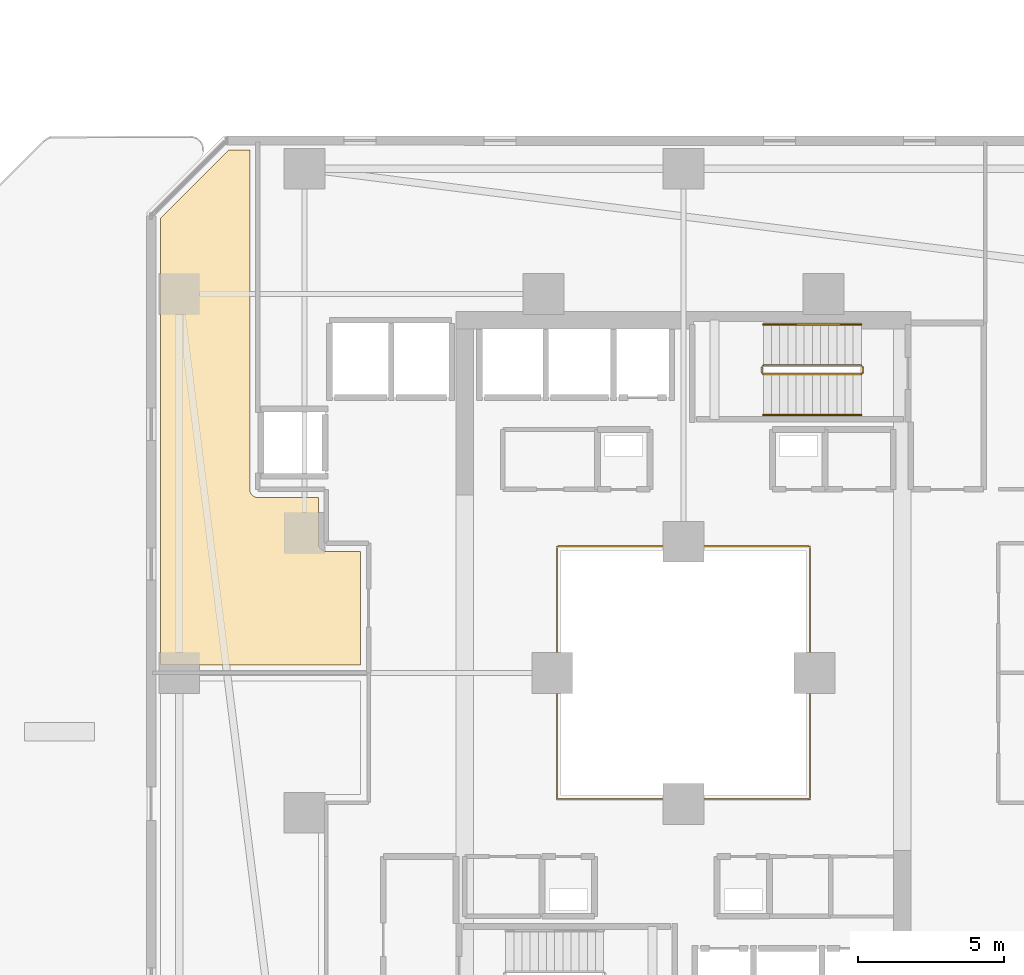
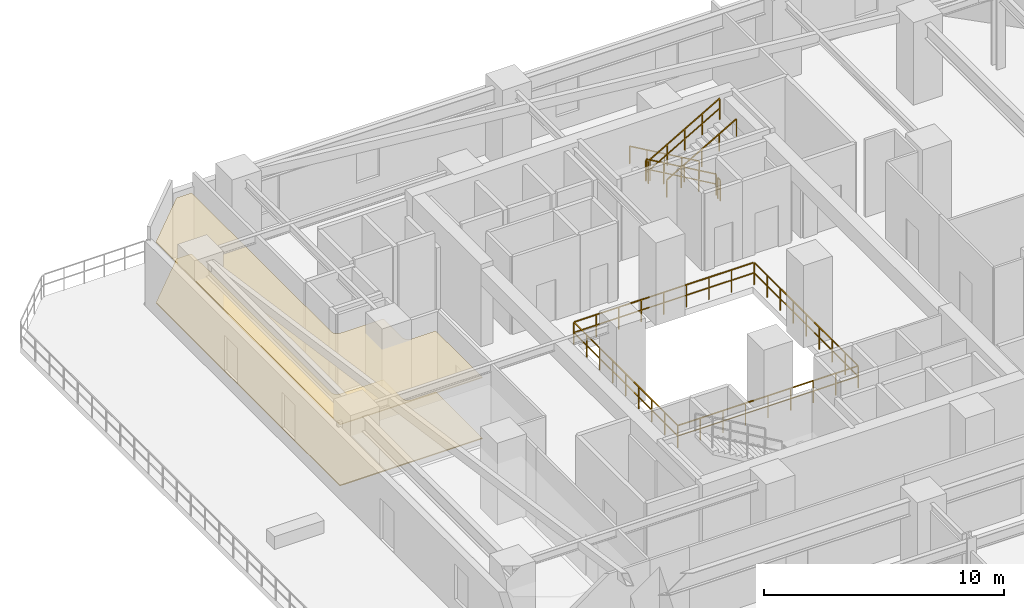
# One storey, part 30 of 33: 7 railings, 2 coverings.
"""IFC4 building model written with IfcOpenShell, lengths in metres."""

from ifc_helpers import new_model, si_unit, direction, frame, origin, origin_2d, place, context, subcontext, project, spatial, polyline, rectangle, outline, extrude, material, layer, layer_set, type_object, element, save


model = new_model("IFC4")

# Units and contexts
model_context = context("Model", 3, precision=1e-05, world=origin(), true_north=direction((0.0, 1.0)))
body_context = subcontext(model_context, "Body", "Model", "MODEL_VIEW")
ifc_project = project(units=[si_unit("LENGTHUNIT", "METRE"), si_unit("AREAUNIT", "SQUARE_METRE"), si_unit("VOLUMEUNIT", "CUBIC_METRE"), si_unit("PLANEANGLEUNIT", "RADIAN"), si_unit("MASSUNIT", "GRAM", prefix="KILO")], contexts=[model_context])

# Site, building, storey
site_placement = place(None, origin())
site = spatial("IfcSite", under=ifc_project, at=site_placement, CompositionType="ELEMENT")
building_placement = place(site_placement, origin())
building = spatial("IfcBuilding", under=site, at=building_placement, Name="Thornwick Lancets Civic Towers", CompositionType="ELEMENT")
storey_placement = place(building_placement, frame((0.0, 0.0, 49.5)))
storey = spatial("IfcBuildingStorey", under=building, at=storey_placement, Name="L12", CompositionType="ELEMENT", Elevation=49.5)

# Coverings
ifc_material_1 = material(Name="Perforated mineral acoustic ceiling tile")
ifc_layer_1 = layer(ifc_material_1, 0.0400390625, Name="Perforated mineral acoustic ceiling tile")
ifc_layer_set_1 = layer_set([ifc_layer_1], Name="Perforated mineral acoustic ceiling tile")
covering_type_1 = type_object("IfcCoveringType", Name="COV_CEIL_ACOUSTIC", PredefinedType="CEILING", material=ifc_layer_set_1)
covering_1_placement = place(storey_placement, frame((0.0, 0.0, 3.10498046875)))
element("IfcCovering", 1, at=covering_1_placement, inside=storey, type_object=covering_type_1, Name="L12 Tower A Policy Briefing Room W2 Ceiling", PredefinedType="CEILING", context=body_context, shape_type="SweptSolid", body=[
    extrude(outline(polyline([(12.969970703125, 33.02001953125), (12.969970703125, 31.449951171875), (12.97119140625, 31.422607421875), (12.975341796875, 31.3955078125), (12.982177734375, 31.36865234375), (12.9912109375, 31.3427734375), (13.003173828125, 31.318115234375), (13.01708984375, 31.29443359375), (13.03369140625, 31.2724609375), (13.052001953125, 31.251953125), (13.072509765625, 31.233642578125), (13.094482421875, 31.21728515625), (13.117919921875, 31.203125), (13.142822265625, 31.19140625), (13.168701171875, 31.18212890625), (13.1953125, 31.17529296875), (13.22265625, 31.17138671875), (13.25, 31.169921875), (14.419921875, 31.169921875), (14.419921875, 27.280029296875), (7.56005859375, 27.280029296875), (7.56005859375, 42.609375), (9.890625, 44.93994140625), (10.6201171875, 44.93994140625), (10.6201171875, 33.300048828125), (10.621337890625, 33.272705078125), (10.62548828125, 33.245361328125), (10.632080078125, 33.21875), (10.641357421875, 33.19287109375), (10.653076171875, 33.16796875), (10.667236328125, 33.144287109375), (10.68359375, 33.122314453125), (10.701904296875, 33.10205078125), (10.722412109375, 33.08349609375), (10.744384765625, 33.067138671875), (10.76806640625, 33.052978515625), (10.792724609375, 33.041259765625), (10.818603515625, 33.031982421875), (10.845458984375, 33.025390625), (10.87255859375, 33.021240234375), (10.89990234375, 33.02001953125), (12.969970703125, 33.02001953125)])), origin(), (0.0, 0.0, 1.0), 0.0400390625),
])
ifc_material_2 = material(Name="Calcium-sulfate raised access floor panel")
ifc_layer_2 = layer(ifc_material_2, 0.050048828125, Name="Calcium-sulfate raised access floor panel")
ifc_layer_set_2 = layer_set([ifc_layer_2], Name="Calcium-sulfate raised access floor panel")
covering_type_2 = type_object("IfcCoveringType", Name="COV_FLOOR_RAISED", PredefinedType="FLOORING", material=ifc_layer_set_2)
covering_2_placement = place(storey_placement, origin())
element("IfcCovering", 2, at=covering_2_placement, inside=storey, type_object=covering_type_2, Name="L12 Tower A Policy Briefing Room W2 Raised Access Flooring", PredefinedType="FLOORING", context=body_context, shape_type="SweptSolid", body=[
    extrude(outline(polyline([(12.969970703125, 33.02001953125), (12.969970703125, 31.449951171875), (12.97119140625, 31.422607421875), (12.975341796875, 31.3955078125), (12.982177734375, 31.36865234375), (12.9912109375, 31.3427734375), (13.003173828125, 31.318115234375), (13.01708984375, 31.29443359375), (13.03369140625, 31.2724609375), (13.052001953125, 31.251953125), (13.072509765625, 31.233642578125), (13.094482421875, 31.21728515625), (13.117919921875, 31.203125), (13.142822265625, 31.19140625), (13.168701171875, 31.18212890625), (13.1953125, 31.17529296875), (13.22265625, 31.17138671875), (13.25, 31.169921875), (14.419921875, 31.169921875), (14.419921875, 27.280029296875), (7.56005859375, 27.280029296875), (7.56005859375, 42.609375), (9.890625, 44.93994140625), (10.6201171875, 44.93994140625), (10.6201171875, 33.300048828125), (10.621337890625, 33.272705078125), (10.62548828125, 33.245361328125), (10.632080078125, 33.21875), (10.641357421875, 33.19287109375), (10.653076171875, 33.16796875), (10.667236328125, 33.144287109375), (10.68359375, 33.122314453125), (10.701904296875, 33.10205078125), (10.722412109375, 33.08349609375), (10.744384765625, 33.067138671875), (10.76806640625, 33.052978515625), (10.792724609375, 33.041259765625), (10.818603515625, 33.031982421875), (10.845458984375, 33.025390625), (10.87255859375, 33.021240234375), (10.89990234375, 33.02001953125), (12.969970703125, 33.02001953125)])), origin(), (0.0, 0.0, 1.0), 0.050048828125),
])

# Railings
ifc_material_3 = material(Name="Laminated glass and bronze steel S355", Category="steel")
railing_type_1 = type_object("IfcRailingType", Name="RAIL_ATRIUM_GUARD", PredefinedType="BALUSTRADE", material=ifc_material_3)
railing_1_placement = place(storey_placement, frame((21.159912109375, 22.659912109375, 0.0)))
element("IfcRailing", 3, at=railing_1_placement, inside=storey, type_object=railing_type_1, Name="L12 Tower A Central Atrium Guard Balustrade", PredefinedType="BALUSTRADE", context=body_context, shape_type="SweptSolid", body=[
    extrude(rectangle(XDim=0.048095703125, YDim=0.048095703125, at=origin_2d()), frame((0.0, 0.0, 1.1259765625), z_axis=(1.0, 0.0, 0.0), x_axis=(0.0, 1.0, 0.0)), (0.0, 0.0, 1.0), 8.64892578125),
    extrude(rectangle(XDim=0.0419921875, YDim=0.0419921875, at=origin_2d()), frame((0.03759765625, 0.0, 0.597900390625), z_axis=(1.0, 0.0, 0.0), x_axis=(0.0, 1.0, 0.0)), (0.0, 0.0, 1.0), 1.010009765625),
    extrude(rectangle(XDim=0.0419921875, YDim=0.0419921875, at=origin_2d()), frame((1.12255859375, 0.0, 0.597900390625), z_axis=(1.0, 0.0, 0.0), x_axis=(0.0, 1.0, 0.0)), (0.0, 0.0, 1.0), 1.010009765625),
    extrude(rectangle(XDim=0.0419921875, YDim=0.0419921875, at=origin_2d()), frame((2.20751953125, 0.0, 0.597900390625), z_axis=(1.0, 0.0, 0.0), x_axis=(0.0, 1.0, 0.0)), (0.0, 0.0, 1.0), 1.010009765625),
    extrude(rectangle(XDim=0.0419921875, YDim=0.0419921875, at=origin_2d()), frame((3.29248046875, 0.0, 0.597900390625), z_axis=(1.0, 0.0, 0.0), x_axis=(0.0, 1.0, 0.0)), (0.0, 0.0, 1.0), 1.010009765625),
    extrude(rectangle(XDim=0.0419921875, YDim=0.0419921875, at=origin_2d()), frame((4.377685546875, 0.0, 0.597900390625), z_axis=(1.0, 0.0, 0.0), x_axis=(0.0, 1.0, 0.0)), (0.0, 0.0, 1.0), 1.010009765625),
    extrude(rectangle(XDim=0.0419921875, YDim=0.0419921875, at=origin_2d()), frame((5.462646484375, 0.0, 0.597900390625), z_axis=(1.0, 0.0, 0.0), x_axis=(0.0, 1.0, 0.0)), (0.0, 0.0, 1.0), 1.010009765625),
    extrude(rectangle(XDim=0.0419921875, YDim=0.0419921875, at=origin_2d()), frame((6.547607421875, 0.0, 0.597900390625), z_axis=(1.0, 0.0, 0.0), x_axis=(0.0, 1.0, 0.0)), (0.0, 0.0, 1.0), 1.010009765625),
    extrude(rectangle(XDim=0.0419921875, YDim=0.0419921875, at=origin_2d()), frame((7.632568359375, 0.0, 0.597900390625), z_axis=(1.0, 0.0, 0.0), x_axis=(0.0, 1.0, 0.0)), (0.0, 0.0, 1.0), 1.010009765625),
    extrude(rectangle(XDim=0.048095703125, YDim=0.048095703125, at=origin_2d()), frame((8.68017578125, 0.03125, 1.1259765625), z_axis=(0.0, 1.0, 0.0), x_axis=(-1.0, 0.0, 0.0)), (0.0, 0.0, 1.0), 8.61767578125),
    extrude(rectangle(XDim=0.0419921875, YDim=0.0419921875, at=origin_2d()), frame((8.68017578125, 0.03759765625, 0.597900390625), z_axis=(0.0, 1.0, 0.0), x_axis=(-1.0, 0.0, 0.0)), (0.0, 0.0, 1.0), 1.010009765625),
    extrude(rectangle(XDim=0.0419921875, YDim=0.0419921875, at=origin_2d()), frame((8.68017578125, 1.12255859375, 0.597900390625), z_axis=(0.0, 1.0, 0.0), x_axis=(-1.0, 0.0, 0.0)), (0.0, 0.0, 1.0), 1.010009765625),
    extrude(rectangle(XDim=0.0419921875, YDim=0.0419921875, at=origin_2d()), frame((8.68017578125, 2.20751953125, 0.597900390625), z_axis=(0.0, 1.0, 0.0), x_axis=(-1.0, 0.0, 0.0)), (0.0, 0.0, 1.0), 1.010009765625),
    extrude(rectangle(XDim=0.0419921875, YDim=0.0419921875, at=origin_2d()), frame((8.68017578125, 3.29248046875, 0.597900390625), z_axis=(0.0, 1.0, 0.0), x_axis=(-1.0, 0.0, 0.0)), (0.0, 0.0, 1.0), 1.010009765625),
    extrude(rectangle(XDim=0.0419921875, YDim=0.0419921875, at=origin_2d()), frame((8.68017578125, 4.377685546875, 0.597900390625), z_axis=(0.0, 1.0, 0.0), x_axis=(-1.0, 0.0, 0.0)), (0.0, 0.0, 1.0), 1.010009765625),
    extrude(rectangle(XDim=0.0419921875, YDim=0.0419921875, at=origin_2d()), frame((8.68017578125, 5.462646484375, 0.597900390625), z_axis=(0.0, 1.0, 0.0), x_axis=(-1.0, 0.0, 0.0)), (0.0, 0.0, 1.0), 1.010009765625),
    extrude(rectangle(XDim=0.0419921875, YDim=0.0419921875, at=origin_2d()), frame((8.68017578125, 6.547607421875, 0.597900390625), z_axis=(0.0, 1.0, 0.0), x_axis=(-1.0, 0.0, 0.0)), (0.0, 0.0, 1.0), 1.010009765625),
    extrude(rectangle(XDim=0.0419921875, YDim=0.0419921875, at=origin_2d()), frame((8.68017578125, 7.632568359375, 0.597900390625), z_axis=(0.0, 1.0, 0.0), x_axis=(-1.0, 0.0, 0.0)), (0.0, 0.0, 1.0), 1.010009765625),
    extrude(rectangle(XDim=0.048095703125, YDim=0.048095703125, at=origin_2d()), frame((8.64892578125, 8.68017578125, 1.1259765625), z_axis=(-1.0, 0.0, 0.0), x_axis=(0.0, -1.0, 0.0)), (0.0, 0.0, 1.0), 8.61767578125),
    extrude(rectangle(XDim=0.0419921875, YDim=0.0419921875, at=origin_2d()), frame((8.642578125, 8.68017578125, 0.597900390625), z_axis=(-1.0, 0.0, 0.0), x_axis=(0.0, -1.0, 0.0)), (0.0, 0.0, 1.0), 1.010009765625),
    extrude(rectangle(XDim=0.0419921875, YDim=0.0419921875, at=origin_2d()), frame((7.5576171875, 8.68017578125, 0.597900390625), z_axis=(-1.0, 0.0, 0.0), x_axis=(0.0, -1.0, 0.0)), (0.0, 0.0, 1.0), 1.010009765625),
    extrude(rectangle(XDim=0.0419921875, YDim=0.0419921875, at=origin_2d()), frame((6.47265625, 8.68017578125, 0.597900390625), z_axis=(-1.0, 0.0, 0.0), x_axis=(0.0, -1.0, 0.0)), (0.0, 0.0, 1.0), 1.010009765625),
    extrude(rectangle(XDim=0.0419921875, YDim=0.0419921875, at=origin_2d()), frame((5.3876953125, 8.68017578125, 0.597900390625), z_axis=(-1.0, 0.0, 0.0), x_axis=(0.0, -1.0, 0.0)), (0.0, 0.0, 1.0), 1.010009765625),
    extrude(rectangle(XDim=0.0419921875, YDim=0.0419921875, at=origin_2d()), frame((4.302490234375, 8.68017578125, 0.597900390625), z_axis=(-1.0, 0.0, 0.0), x_axis=(0.0, -1.0, 0.0)), (0.0, 0.0, 1.0), 1.010009765625),
    extrude(rectangle(XDim=0.0419921875, YDim=0.0419921875, at=origin_2d()), frame((3.217529296875, 8.68017578125, 0.597900390625), z_axis=(-1.0, 0.0, 0.0), x_axis=(0.0, -1.0, 0.0)), (0.0, 0.0, 1.0), 1.010009765625),
    extrude(rectangle(XDim=0.0419921875, YDim=0.0419921875, at=origin_2d()), frame((2.132568359375, 8.68017578125, 0.597900390625), z_axis=(-1.0, 0.0, 0.0), x_axis=(0.0, -1.0, 0.0)), (0.0, 0.0, 1.0), 1.010009765625),
    extrude(rectangle(XDim=0.0419921875, YDim=0.0419921875, at=origin_2d()), frame((1.047607421875, 8.68017578125, 0.597900390625), z_axis=(-1.0, 0.0, 0.0), x_axis=(0.0, -1.0, 0.0)), (0.0, 0.0, 1.0), 1.010009765625),
    extrude(rectangle(XDim=0.048095703125, YDim=0.048095703125, at=origin_2d()), frame((0.0, 8.64892578125, 1.1259765625), z_axis=(0.0, -1.0, 0.0), x_axis=(1.0, 0.0, 0.0)), (0.0, 0.0, 1.0), 8.64892578125),
    extrude(rectangle(XDim=0.0419921875, YDim=0.0419921875, at=origin_2d()), frame((0.0, 8.642578125, 0.597900390625), z_axis=(0.0, -1.0, 0.0), x_axis=(1.0, 0.0, 0.0)), (0.0, 0.0, 1.0), 1.010009765625),
    extrude(rectangle(XDim=0.0419921875, YDim=0.0419921875, at=origin_2d()), frame((0.0, 7.5576171875, 0.597900390625), z_axis=(0.0, -1.0, 0.0), x_axis=(1.0, 0.0, 0.0)), (0.0, 0.0, 1.0), 1.010009765625),
    extrude(rectangle(XDim=0.0419921875, YDim=0.0419921875, at=origin_2d()), frame((0.0, 6.47265625, 0.597900390625), z_axis=(0.0, -1.0, 0.0), x_axis=(1.0, 0.0, 0.0)), (0.0, 0.0, 1.0), 1.010009765625),
    extrude(rectangle(XDim=0.0419921875, YDim=0.0419921875, at=origin_2d()), frame((0.0, 5.3876953125, 0.597900390625), z_axis=(0.0, -1.0, 0.0), x_axis=(1.0, 0.0, 0.0)), (0.0, 0.0, 1.0), 1.010009765625),
    extrude(rectangle(XDim=0.0419921875, YDim=0.0419921875, at=origin_2d()), frame((0.0, 4.302490234375, 0.597900390625), z_axis=(0.0, -1.0, 0.0), x_axis=(1.0, 0.0, 0.0)), (0.0, 0.0, 1.0), 1.010009765625),
    extrude(rectangle(XDim=0.0419921875, YDim=0.0419921875, at=origin_2d()), frame((0.0, 3.217529296875, 0.597900390625), z_axis=(0.0, -1.0, 0.0), x_axis=(1.0, 0.0, 0.0)), (0.0, 0.0, 1.0), 1.010009765625),
    extrude(rectangle(XDim=0.0419921875, YDim=0.0419921875, at=origin_2d()), frame((0.0, 2.132568359375, 0.597900390625), z_axis=(0.0, -1.0, 0.0), x_axis=(1.0, 0.0, 0.0)), (0.0, 0.0, 1.0), 1.010009765625),
    extrude(rectangle(XDim=0.0419921875, YDim=0.0419921875, at=origin_2d()), frame((0.0, 1.047607421875, 0.597900390625), z_axis=(0.0, -1.0, 0.0), x_axis=(1.0, 0.0, 0.0)), (0.0, 0.0, 1.0), 1.010009765625),
    extrude(rectangle(XDim=0.0419921875, YDim=0.0419921875, at=origin_2d()), origin(), (0.0, 0.0, 1.0), 1.095703125),
    extrude(rectangle(XDim=0.0419921875, YDim=0.0419921875, at=origin_2d()), frame((1.0849609375, 0.0, 0.0)), (0.0, 0.0, 1.0), 1.095703125),
    extrude(rectangle(XDim=0.0419921875, YDim=0.0419921875, at=origin_2d()), frame((2.169921875, 0.0, 0.0)), (0.0, 0.0, 1.0), 1.095703125),
    extrude(rectangle(XDim=0.0419921875, YDim=0.0419921875, at=origin_2d()), frame((3.255126953125, 0.0, 0.0)), (0.0, 0.0, 1.0), 1.095703125),
    extrude(rectangle(XDim=0.0419921875, YDim=0.0419921875, at=origin_2d()), frame((4.340087890625, 0.0, 0.0)), (0.0, 0.0, 1.0), 1.095703125),
    extrude(rectangle(XDim=0.0419921875, YDim=0.0419921875, at=origin_2d()), frame((5.425048828125, 0.0, 0.0)), (0.0, 0.0, 1.0), 1.095703125),
    extrude(rectangle(XDim=0.0419921875, YDim=0.0419921875, at=origin_2d()), frame((6.51025390625, 0.0, 0.0)), (0.0, 0.0, 1.0), 1.095703125),
    extrude(rectangle(XDim=0.0419921875, YDim=0.0419921875, at=origin_2d()), frame((7.59521484375, 0.0, 0.0)), (0.0, 0.0, 1.0), 1.095703125),
    extrude(rectangle(XDim=0.0419921875, YDim=0.0419921875, at=origin_2d()), frame((8.68017578125, 0.0, 0.0)), (0.0, 0.0, 1.0), 1.095703125),
    extrude(rectangle(XDim=0.0419921875, YDim=0.0419921875, at=origin_2d()), frame((8.68017578125, 1.0849609375, 0.0)), (0.0, 0.0, 1.0), 1.095703125),
    extrude(rectangle(XDim=0.0419921875, YDim=0.0419921875, at=origin_2d()), frame((8.68017578125, 2.169921875, 0.0)), (0.0, 0.0, 1.0), 1.095703125),
    extrude(rectangle(XDim=0.0419921875, YDim=0.0419921875, at=origin_2d()), frame((8.68017578125, 3.255126953125, 0.0)), (0.0, 0.0, 1.0), 1.095703125),
    extrude(rectangle(XDim=0.0419921875, YDim=0.0419921875, at=origin_2d()), frame((8.68017578125, 4.340087890625, 0.0)), (0.0, 0.0, 1.0), 1.095703125),
    extrude(rectangle(XDim=0.0419921875, YDim=0.0419921875, at=origin_2d()), frame((8.68017578125, 5.425048828125, 0.0)), (0.0, 0.0, 1.0), 1.095703125),
    extrude(rectangle(XDim=0.0419921875, YDim=0.0419921875, at=origin_2d()), frame((8.68017578125, 6.51025390625, 0.0)), (0.0, 0.0, 1.0), 1.095703125),
    extrude(rectangle(XDim=0.0419921875, YDim=0.0419921875, at=origin_2d()), frame((8.68017578125, 7.59521484375, 0.0)), (0.0, 0.0, 1.0), 1.095703125),
    extrude(rectangle(XDim=0.0419921875, YDim=0.0419921875, at=origin_2d()), frame((8.68017578125, 8.68017578125, 0.0)), (0.0, 0.0, 1.0), 1.095703125),
    extrude(rectangle(XDim=0.0419921875, YDim=0.0419921875, at=origin_2d()), frame((7.59521484375, 8.68017578125, 0.0)), (0.0, 0.0, 1.0), 1.095703125),
    extrude(rectangle(XDim=0.0419921875, YDim=0.0419921875, at=origin_2d()), frame((6.51025390625, 8.68017578125, 0.0)), (0.0, 0.0, 1.0), 1.095703125),
    extrude(rectangle(XDim=0.0419921875, YDim=0.0419921875, at=origin_2d()), frame((5.425048828125, 8.68017578125, 0.0)), (0.0, 0.0, 1.0), 1.095703125),
    extrude(rectangle(XDim=0.0419921875, YDim=0.0419921875, at=origin_2d()), frame((4.340087890625, 8.68017578125, 0.0)), (0.0, 0.0, 1.0), 1.095703125),
    extrude(rectangle(XDim=0.0419921875, YDim=0.0419921875, at=origin_2d()), frame((3.255126953125, 8.68017578125, 0.0)), (0.0, 0.0, 1.0), 1.095703125),
    extrude(rectangle(XDim=0.0419921875, YDim=0.0419921875, at=origin_2d()), frame((2.169921875, 8.68017578125, 0.0)), (0.0, 0.0, 1.0), 1.095703125),
    extrude(rectangle(XDim=0.0419921875, YDim=0.0419921875, at=origin_2d()), frame((1.0849609375, 8.68017578125, 0.0)), (0.0, 0.0, 1.0), 1.095703125),
    extrude(rectangle(XDim=0.0419921875, YDim=0.0419921875, at=origin_2d()), frame((0.0, 8.68017578125, 0.0)), (0.0, 0.0, 1.0), 1.095703125),
    extrude(rectangle(XDim=0.0419921875, YDim=0.0419921875, at=origin_2d()), frame((0.0, 7.59521484375, 0.0)), (0.0, 0.0, 1.0), 1.095703125),
    extrude(rectangle(XDim=0.0419921875, YDim=0.0419921875, at=origin_2d()), frame((0.0, 6.51025390625, 0.0)), (0.0, 0.0, 1.0), 1.095703125),
    extrude(rectangle(XDim=0.0419921875, YDim=0.0419921875, at=origin_2d()), frame((0.0, 5.425048828125, 0.0)), (0.0, 0.0, 1.0), 1.095703125),
    extrude(rectangle(XDim=0.0419921875, YDim=0.0419921875, at=origin_2d()), frame((0.0, 4.340087890625, 0.0)), (0.0, 0.0, 1.0), 1.095703125),
    extrude(rectangle(XDim=0.0419921875, YDim=0.0419921875, at=origin_2d()), frame((0.0, 3.255126953125, 0.0)), (0.0, 0.0, 1.0), 1.095703125),
    extrude(rectangle(XDim=0.0419921875, YDim=0.0419921875, at=origin_2d()), frame((0.0, 2.169921875, 0.0)), (0.0, 0.0, 1.0), 1.095703125),
    extrude(rectangle(XDim=0.0419921875, YDim=0.0419921875, at=origin_2d()), frame((0.0, 1.0849609375, 0.0)), (0.0, 0.0, 1.0), 1.095703125),
])
ifc_material_4 = material(Name="Brushed stainless steel S355", Category="steel")
railing_type_2 = type_object("IfcRailingType", Name="RAIL_HANDRAIL", PredefinedType="HANDRAIL", material=ifc_material_4)
railing_2_placement = place(storey_placement, frame((31.60009765625, 38.949951171875, 0.16162109375)))
element("IfcRailing", 4, at=railing_2_placement, inside=storey, type_object=railing_type_2, Name="L12 ST-A2 stair handrail 1", PredefinedType="HANDRAIL", context=body_context, shape_type="SweptSolid", body=[
    extrude(rectangle(XDim=0.048095703125, YDim=0.048095703125, at=origin_2d()), frame((0.0, 0.0, 0.8857421875), z_axis=(-0.866190824863, 0.0, 0.499713372768), x_axis=(0.0, -1.0, 0.0)), (0.0, 0.0, 1.0), 3.879150390625),
    extrude(rectangle(XDim=0.0419921875, YDim=0.0419921875, at=origin_2d()), origin(), (0.0, 0.0, 1.0), 0.855712890625),
    extrude(rectangle(XDim=0.0419921875, YDim=0.0419921875, at=origin_2d()), frame((-0.840087890625, 0.0, 0.484619140625)), (0.0, 0.0, 1.0), 0.855712890625),
    extrude(rectangle(XDim=0.0419921875, YDim=0.0419921875, at=origin_2d()), frame((-1.68017578125, 0.0, 0.96923828125)), (0.0, 0.0, 1.0), 0.855712890625),
    extrude(rectangle(XDim=0.0419921875, YDim=0.0419921875, at=origin_2d()), frame((-2.52001953125, 0.0, 1.453857421875)), (0.0, 0.0, 1.0), 0.855712890625),
    extrude(rectangle(XDim=0.0419921875, YDim=0.0419921875, at=origin_2d()), frame((-3.360107421875, 0.0, 1.9384765625)), (0.0, 0.0, 1.0), 0.855712890625),
])
railing_3_placement = place(storey_placement, frame((28.239990234375, 35.85009765625, 2.261474609375)))
element("IfcRailing", 5, at=railing_3_placement, inside=storey, type_object=railing_type_2, Name="L12 ST-A2 stair handrail 2", PredefinedType="HANDRAIL", context=body_context, shape_type="SweptSolid", body=[
    extrude(rectangle(XDim=0.048095703125, YDim=0.048095703125, at=origin_2d()), frame((0.0, 0.0, 0.8857421875), z_axis=(0.866190824863, 0.0, 0.499713372768), x_axis=(0.0, 1.0, 0.0)), (0.0, 0.0, 1.0), 3.879150390625),
    extrude(rectangle(XDim=0.0419921875, YDim=0.0419921875, at=origin_2d()), origin(), (0.0, 0.0, 1.0), 0.855712890625),
    extrude(rectangle(XDim=0.0419921875, YDim=0.0419921875, at=origin_2d()), frame((0.840087890625, 0.0, 0.484619140625)), (0.0, 0.0, 1.0), 0.855712890625),
    extrude(rectangle(XDim=0.0419921875, YDim=0.0419921875, at=origin_2d()), frame((1.68017578125, 0.0, 0.96923828125)), (0.0, 0.0, 1.0), 0.855712890625),
    extrude(rectangle(XDim=0.0419921875, YDim=0.0419921875, at=origin_2d()), frame((2.52001953125, 0.0, 1.453857421875)), (0.0, 0.0, 1.0), 0.855712890625),
    extrude(rectangle(XDim=0.0419921875, YDim=0.0419921875, at=origin_2d()), frame((3.360107421875, 0.0, 1.9384765625)), (0.0, 0.0, 1.0), 0.855712890625),
])
ifc_material_5 = material(Name="Steel S355JR", Category="steel")
railing_type_3 = type_object("IfcRailingType", Name="RAIL_STAIR_GUARD", PredefinedType="GUARDRAIL", material=ifc_material_5)
railing_4_placement = place(storey_placement, frame((31.60009765625, 37.550048828125, 0.16162109375)))
element("IfcRailing", 6, at=railing_4_placement, inside=storey, type_object=railing_type_3, Name="L12 ST-A2 stair guard 1", PredefinedType="GUARDRAIL", context=body_context, shape_type="SweptSolid", body=[
    extrude(rectangle(XDim=0.048095703125, YDim=0.048095703125, at=origin_2d()), frame((0.0, 0.0, 1.076171875), z_axis=(-0.866190824863, 0.0, 0.499713372768), x_axis=(0.0, -1.0, 0.0)), (0.0, 0.0, 1.0), 3.879150390625),
    extrude(rectangle(XDim=0.0419921875, YDim=0.0419921875, at=origin_2d()), frame((-0.032470703125, 0.0, 0.5908203125), z_axis=(-0.866190824863, 0.0, 0.499713372768), x_axis=(0.0, -1.0, 0.0)), (0.0, 0.0, 1.0), 0.894775390625),
    extrude(rectangle(XDim=0.0419921875, YDim=0.0419921875, at=origin_2d()), frame((-0.87255859375, 0.0, 1.075439453125), z_axis=(-0.866190824863, 0.0, 0.499713372768), x_axis=(0.0, -1.0, 0.0)), (0.0, 0.0, 1.0), 0.894775390625),
    extrude(rectangle(XDim=0.0419921875, YDim=0.0419921875, at=origin_2d()), frame((-1.712646484375, 0.0, 1.56005859375), z_axis=(-0.866190824863, 0.0, 0.499713372768), x_axis=(0.0, -1.0, 0.0)), (0.0, 0.0, 1.0), 0.894775390625),
    extrude(rectangle(XDim=0.0419921875, YDim=0.0419921875, at=origin_2d()), frame((-2.552490234375, 0.0, 2.044677734375), z_axis=(-0.866190824863, 0.0, 0.499713372768), x_axis=(0.0, -1.0, 0.0)), (0.0, 0.0, 1.0), 0.894775390625),
    extrude(rectangle(XDim=0.0419921875, YDim=0.0419921875, at=origin_2d()), origin(), (0.0, 0.0, 1.0), 1.0458984375),
    extrude(rectangle(XDim=0.0419921875, YDim=0.0419921875, at=origin_2d()), frame((-0.840087890625, 0.0, 0.484619140625)), (0.0, 0.0, 1.0), 1.0458984375),
    extrude(rectangle(XDim=0.0419921875, YDim=0.0419921875, at=origin_2d()), frame((-1.68017578125, 0.0, 0.96923828125)), (0.0, 0.0, 1.0), 1.0458984375),
    extrude(rectangle(XDim=0.0419921875, YDim=0.0419921875, at=origin_2d()), frame((-2.52001953125, 0.0, 1.453857421875)), (0.0, 0.0, 1.0), 1.0458984375),
    extrude(rectangle(XDim=0.0419921875, YDim=0.0419921875, at=origin_2d()), frame((-3.360107421875, 0.0, 1.9384765625)), (0.0, 0.0, 1.0), 1.0458984375),
])
railing_5_placement = place(storey_placement, frame((28.18994140625, 37.5, 2.10009765625)))
element("IfcRailing", 7, at=railing_5_placement, inside=storey, type_object=railing_type_3, Name="L12 ST-A2 stair guard 2", PredefinedType="GUARDRAIL", context=body_context, shape_type="SweptSolid", body=[
    extrude(rectangle(XDim=0.048095703125, YDim=0.048095703125, at=origin_2d()), frame((0.0, 0.0, 1.076171875), z_axis=(0.0, -1.0, 0.0), x_axis=(1.0, 0.0, 0.0)), (0.0, 0.0, 1.0), 0.199951171875),
    extrude(rectangle(XDim=0.0419921875, YDim=0.0419921875, at=origin_2d()), frame((0.0, -0.03759765625, 0.572021484375), z_axis=(0.0, -1.0, 0.0), x_axis=(1.0, 0.0, 0.0)), (0.0, 0.0, 1.0), 0.125),
    extrude(rectangle(XDim=0.0419921875, YDim=0.0419921875, at=origin_2d()), origin(), (0.0, 0.0, 1.0), 1.0458984375),
    extrude(rectangle(XDim=0.0419921875, YDim=0.0419921875, at=origin_2d()), frame((0.0, -0.199951171875, 0.0)), (0.0, 0.0, 1.0), 1.0458984375),
])
railing_6_placement = place(storey_placement, frame((28.239990234375, 37.25, 2.261474609375)))
element("IfcRailing", 8, at=railing_6_placement, inside=storey, type_object=railing_type_3, Name="L12 ST-A2 stair guard 3", PredefinedType="GUARDRAIL", context=body_context, shape_type="SweptSolid", body=[
    extrude(rectangle(XDim=0.048095703125, YDim=0.048095703125, at=origin_2d()), frame((0.0, 0.0, 1.076171875), z_axis=(0.866190824863, 0.0, 0.499713372768), x_axis=(0.0, 1.0, 0.0)), (0.0, 0.0, 1.0), 3.879150390625),
    extrude(rectangle(XDim=0.0419921875, YDim=0.0419921875, at=origin_2d()), frame((0.032470703125, 0.0, 0.5908203125), z_axis=(0.866190824863, 0.0, 0.499713372768), x_axis=(0.0, 1.0, 0.0)), (0.0, 0.0, 1.0), 0.894775390625),
    extrude(rectangle(XDim=0.0419921875, YDim=0.0419921875, at=origin_2d()), frame((0.87255859375, 0.0, 1.075439453125), z_axis=(0.866190824863, 0.0, 0.499713372768), x_axis=(0.0, 1.0, 0.0)), (0.0, 0.0, 1.0), 0.894775390625),
    extrude(rectangle(XDim=0.0419921875, YDim=0.0419921875, at=origin_2d()), frame((1.712646484375, 0.0, 1.56005859375), z_axis=(0.866190824863, 0.0, 0.499713372768), x_axis=(0.0, 1.0, 0.0)), (0.0, 0.0, 1.0), 0.894775390625),
    extrude(rectangle(XDim=0.0419921875, YDim=0.0419921875, at=origin_2d()), frame((2.552490234375, 0.0, 2.044677734375), z_axis=(0.866190824863, 0.0, 0.499713372768), x_axis=(0.0, 1.0, 0.0)), (0.0, 0.0, 1.0), 0.894775390625),
    extrude(rectangle(XDim=0.0419921875, YDim=0.0419921875, at=origin_2d()), origin(), (0.0, 0.0, 1.0), 1.0458984375),
    extrude(rectangle(XDim=0.0419921875, YDim=0.0419921875, at=origin_2d()), frame((0.840087890625, 0.0, 0.484619140625)), (0.0, 0.0, 1.0), 1.0458984375),
    extrude(rectangle(XDim=0.0419921875, YDim=0.0419921875, at=origin_2d()), frame((1.68017578125, 0.0, 0.96923828125)), (0.0, 0.0, 1.0), 1.0458984375),
    extrude(rectangle(XDim=0.0419921875, YDim=0.0419921875, at=origin_2d()), frame((2.52001953125, 0.0, 1.453857421875)), (0.0, 0.0, 1.0), 1.0458984375),
    extrude(rectangle(XDim=0.0419921875, YDim=0.0419921875, at=origin_2d()), frame((3.360107421875, 0.0, 1.9384765625)), (0.0, 0.0, 1.0), 1.0458984375),
])
railing_7_placement = place(storey_placement, frame((31.64990234375, 37.5, 0.0)))
element("IfcRailing", 9, at=railing_7_placement, inside=storey, type_object=railing_type_3, Name="L12 ST-A2 stair guard 4", PredefinedType="GUARDRAIL", context=body_context, shape_type="SweptSolid", body=[
    extrude(rectangle(XDim=0.048095703125, YDim=0.048095703125, at=origin_2d()), frame((0.0, 0.0, 1.076171875), z_axis=(0.0, -1.0, 0.0), x_axis=(1.0, 0.0, 0.0)), (0.0, 0.0, 1.0), 0.199951171875),
    extrude(rectangle(XDim=0.0419921875, YDim=0.0419921875, at=origin_2d()), frame((0.0, -0.03759765625, 0.572021484375), z_axis=(0.0, -1.0, 0.0), x_axis=(1.0, 0.0, 0.0)), (0.0, 0.0, 1.0), 0.125),
    extrude(rectangle(XDim=0.0419921875, YDim=0.0419921875, at=origin_2d()), origin(), (0.0, 0.0, 1.0), 1.0458984375),
    extrude(rectangle(XDim=0.0419921875, YDim=0.0419921875, at=origin_2d()), frame((0.0, -0.199951171875, 0.0)), (0.0, 0.0, 1.0), 1.0458984375),
])

save(model, "model.ifc")
